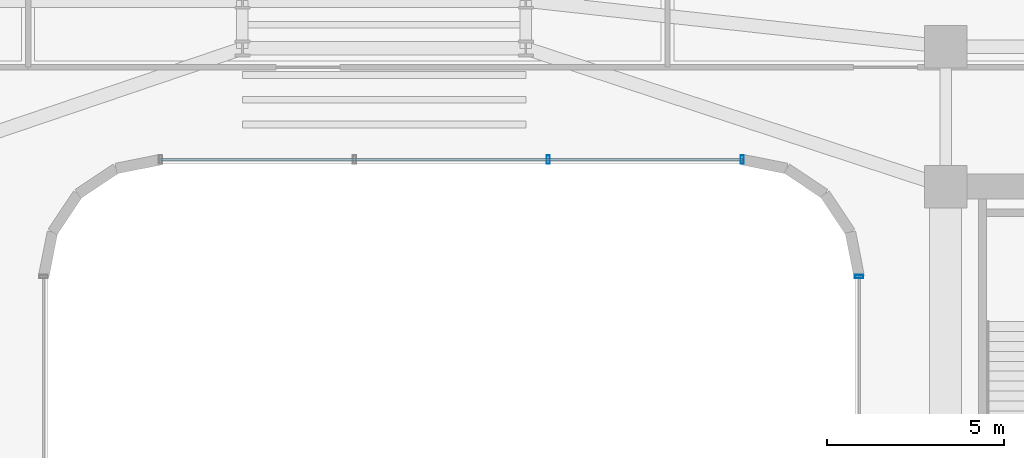
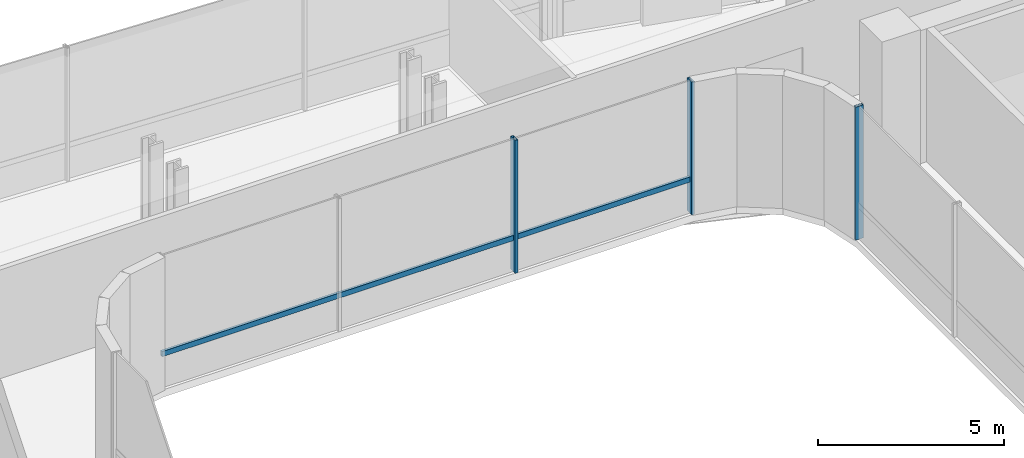
# One storey, part 13 of 32: 4 members, 2 elements without a shape of their own.
"""IFC4 building model written with IfcOpenShell, lengths in metres."""

from ifc_helpers import new_model, si_unit, direction, frame, origin, origin_2d, place, context, subcontext, project, spatial, hollow_rectangle, extrude, source, transform, mapped, material, material_profile, profile_set, type_object, element, aggregate, save


model = new_model("IFC4")

# Units and contexts
model_context = context("Model", 3, precision=1e-05, world=origin(), true_north=direction((0.0, 1.0)))
body_context = subcontext(model_context, "Body", "Model", "MODEL_VIEW")
ifc_project = project(units=[si_unit("LENGTHUNIT", "METRE"), si_unit("AREAUNIT", "SQUARE_METRE"), si_unit("VOLUMEUNIT", "CUBIC_METRE"), si_unit("PLANEANGLEUNIT", "RADIAN"), si_unit("MASSUNIT", "GRAM", prefix="KILO")], contexts=[model_context])

# Site, building, storey
site_placement = place(None, origin())
site = spatial("IfcSite", under=ifc_project, at=site_placement, CompositionType="ELEMENT")
building_placement = place(site_placement, origin())
building = spatial("IfcBuilding", under=site, at=building_placement, Name="Valdorenza Pilgrim Sanctuary Tower", CompositionType="ELEMENT")
storey_placement = place(building_placement, frame((0.0, 0.0, 101.10009765625)))
storey = spatial("IfcBuildingStorey", under=building, at=storey_placement, Name="L25", CompositionType="ELEMENT", Elevation=101.10009765625)

# Curtain wall, member
ifc_material_1 = material(Name="Curtain-wall IGU glazing", Category="glass")
curtain_wall_type = type_object("IfcCurtainWallType", Name="CW-SYS-04", PredefinedType="NOTDEFINED", material=ifc_material_1)
curtain_wall_1_placement = place(storey_placement, origin())
curtain_wall_1 = element("IfcCurtainWall", 1, at=curtain_wall_1_placement, inside=storey, type_object=curtain_wall_type, Name="L25 Curtain Wall CW-L25-1-31", PredefinedType="NOTDEFINED")
ifc_material_2 = material(Name="Anodised aluminium AW-6060", Category="aluminium")
ifc_material_profile_1 = material_profile(ifc_material_2, hollow_rectangle(XDim=0.090087890625, YDim=0.239990234375, WallThickness=0.0048828125, at=origin_2d()), Name="ALU-M 240x90x5")
ifc_profile_set_1 = profile_set([ifc_material_profile_1], Name="Anodised aluminium AW-6060")
member_type_1 = type_object("IfcMemberType", Name="CW-MUL-04", PredefinedType="MULLION", material=ifc_profile_set_1)
shared_shape_1 = source(origin(), body_context, "Body", "SweptSolid", [
    extrude(hollow_rectangle(XDim=0.090087890625, YDim=0.239990234375, WallThickness=0.0048828125, at=origin_2d()), origin(), (0.0, 0.0, 1.0), 4.35986328125),
])
member_1_placement = place(storey_placement, frame((13.409912109375, 7.0107421875, 0.0), z_axis=(0.0, 0.0, 1.0), x_axis=(0.0, 1.0, 0.0)))
member_1 = element("IfcMember", 2, at=member_1_placement, type_object=member_type_1, Name="CW-L25-1-31 Mullion 4", PredefinedType="MULLION", context=body_context, shape_type="MappedRepresentation", body=[
    mapped(shared_shape_1, transform((0.0, 0.0, 0.0), x_axis=(1.0, 0.0, 0.0), y_axis=(0.0, 1.0, 0.0), z_axis=(0.0, 0.0, 1.0), scale=1.0)),
])
aggregate(curtain_wall_1, [member_1])

# Curtain wall, members
curtain_wall_2_placement = place(storey_placement, origin())
curtain_wall_2 = element("IfcCurtainWall", 3, at=curtain_wall_2_placement, inside=storey, type_object=curtain_wall_type, Name="L25 Curtain Wall CW-L25-1-36", PredefinedType="NOTDEFINED")
member_2_placement = place(storey_placement, frame((10.11083984375, 10.31005859375, 0.0), z_axis=(0.0, 0.0, 1.0), x_axis=(-1.0, 0.0, 0.0)))
member_2 = element("IfcMember", 4, at=member_2_placement, type_object=member_type_1, Name="CW-L25-1-36 Mullion 1", PredefinedType="MULLION", context=body_context, shape_type="MappedRepresentation", body=[
    mapped(shared_shape_1, transform((0.0, 0.0, 0.0), x_axis=(1.0, 0.0, 0.0), y_axis=(0.0, 1.0, 0.0), z_axis=(0.0, 0.0, 1.0), scale=1.0)),
])
member_3_placement = place(storey_placement, frame((4.636962890625, 10.31005859375, 0.0), z_axis=(0.0, 0.0, 1.0), x_axis=(-1.0, 0.0, 0.0)))
member_3 = element("IfcMember", 5, at=member_3_placement, type_object=member_type_1, Name="CW-L25-1-36 Mullion 2", PredefinedType="MULLION", context=body_context, shape_type="MappedRepresentation", body=[
    mapped(shared_shape_1, transform((0.0, 0.0, 0.0), x_axis=(1.0, 0.0, 0.0), y_axis=(0.0, 1.0, 0.0), z_axis=(0.0, 0.0, 1.0), scale=1.0)),
])
ifc_material_profile_2 = material_profile(ifc_material_2, hollow_rectangle(XDim=0.080078125, YDim=0.169921875, WallThickness=0.00390625, at=origin_2d()), Name="ALU-T 170x80x4")
ifc_profile_set_2 = profile_set([ifc_material_profile_2], Name="Anodised aluminium AW-6060")
member_type_2 = type_object("IfcMemberType", Name="CW-TRN-04", PredefinedType="USERDEFINED", material=ifc_profile_set_2)
shared_shape_2 = source(origin(), body_context, "Body", "SweptSolid", [
    extrude(hollow_rectangle(XDim=0.080078125, YDim=0.169921875, WallThickness=0.00390625, at=origin_2d()), origin(), (0.0, 0.0, 1.0), 16.421630859375),
])
member_4_placement = place(storey_placement, frame((10.11083984375, 10.31005859375, 1.119873046875), z_axis=(-1.0, 0.0, 0.0), x_axis=(0.0, -1.0, 0.0)))
member_4 = element("IfcMember", 6, at=member_4_placement, type_object=member_type_2, Name="CW-L25-1-36 Transom 1", ObjectType="TRANSOM", PredefinedType="USERDEFINED", context=body_context, shape_type="MappedRepresentation", body=[
    mapped(shared_shape_2, transform((0.0, 0.0, 0.0), x_axis=(1.0, 0.0, 0.0), y_axis=(0.0, 1.0, 0.0), z_axis=(0.0, 0.0, 1.0), scale=1.0)),
])
aggregate(curtain_wall_2, [member_2, member_3, member_4])

save(model, "model.ifc")
